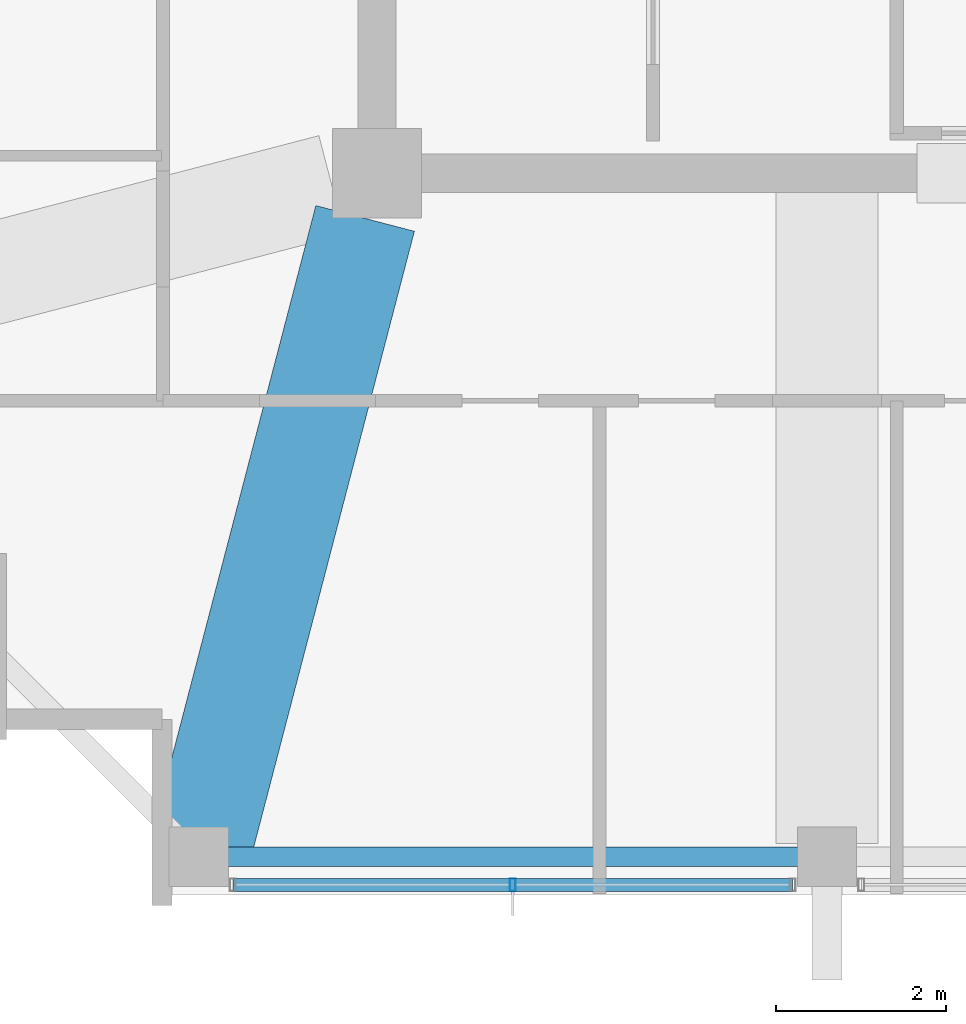
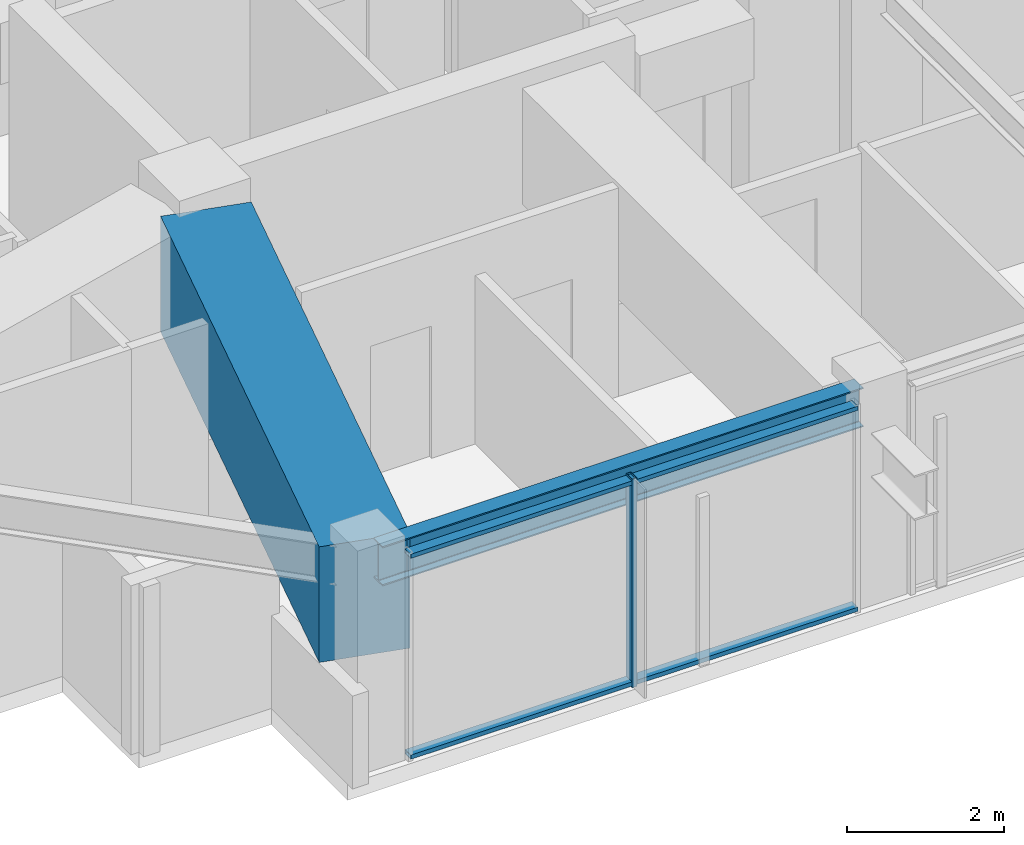
# One storey, part 3 of 31: 3 members, 2 beams, 1 element without a shape of its own.
"""IFC4 building model written with IfcOpenShell, lengths in metres."""

from ifc_helpers import new_model, si_unit, direction, frame, origin, origin_2d, place, context, subcontext, project, spatial, rectangle, hollow_rectangle, i_section, extrude, material, material_profile, profile_set, type_object, element, aggregate, save


model = new_model("IFC4")

# Units and contexts
model_context = context("Model", 3, precision=1e-05, world=origin(), true_north=direction((0.0, 1.0)))
body_context = subcontext(model_context, "Body", "Model", "MODEL_VIEW")
ifc_project = project(units=[si_unit("LENGTHUNIT", "METRE"), si_unit("AREAUNIT", "SQUARE_METRE"), si_unit("VOLUMEUNIT", "CUBIC_METRE"), si_unit("PLANEANGLEUNIT", "RADIAN"), si_unit("MASSUNIT", "GRAM", prefix="KILO")], contexts=[model_context])

# Site, building, storey
site_placement = place(None, origin())
site = spatial("IfcSite", under=ifc_project, at=site_placement, CompositionType="ELEMENT")
building_placement = place(site_placement, origin())
building = spatial("IfcBuilding", under=site, at=building_placement, Name="Kolvaren Belvedere", CompositionType="ELEMENT")
storey_placement = place(building_placement, frame((0.0, 0.0, 237.39990234375)))
storey = spatial("IfcBuildingStorey", under=building, at=storey_placement, Name="L69", CompositionType="ELEMENT", Elevation=237.39990234375)

# Beams
ifc_material_1 = material(Name="Structural steel ASTM A992 Grade 50", Category="steel")
ifc_material_profile_1 = material_profile(ifc_material_1, i_section(OverallWidth=0.22900390625, OverallDepth=0.612060546875, WebThickness=0.011962890625, FlangeThickness=0.01953125, FilletRadius=0.01806640625, at=origin_2d()), Name="W24X84")
ifc_profile_set_1 = profile_set([ifc_material_profile_1], Name="Structural steel ASTM A992 Grade 50")
beam_type_1 = type_object("IfcBeamType", Name="BM-SPAN-W24X84", PredefinedType="SPANDREL", material=ifc_profile_set_1)
beam_1_placement = place(storey_placement, frame((-11.842529296875, -17.949951171875, 2.944091796875), z_axis=(1.0, 0.0, 0.0), x_axis=(0.0, 1.0, 0.0)))
element("IfcBeam", 1, at=beam_1_placement, inside=storey, type_object=beam_type_1, Name="L69 Perimeter Spandrel S1-S2", PredefinedType="SPANDREL", context=body_context, shape_type="SweptSolid", body=[
    extrude(i_section(OverallWidth=0.22900390625, OverallDepth=0.612060546875, WebThickness=0.011962890625, FlangeThickness=0.01953125, FilletRadius=0.01806640625, at=origin_2d()), origin(), (0.0, 0.0, 1.0), 7.0849609375),
])
ifc_material_2 = material(Name="Concrete C50/60", Category="concrete")
ifc_material_profile_2 = material_profile(ifc_material_2, rectangle(XDim=1.199951171875, YDim=1.800048828125, at=origin_2d()), Name="RC 1200X1800")
ifc_profile_set_2 = profile_set([ifc_material_profile_2], Name="Concrete C50/60")
beam_type_2 = type_object("IfcBeamType", Name="BM-TG-1800", PredefinedType="BEAM", material=ifc_profile_set_2)
beam_2_placement = place(storey_placement, frame((-10.038818359375, -10.43212890625, 2.35009765625), z_axis=(-0.25241668651, -0.967618631679, 0.0), x_axis=(0.967618631679, -0.25241668651, 0.0)))
element("IfcBeam", 2, at=beam_2_placement, inside=storey, type_object=beam_type_2, Name="L69 Corner Core-to-Perimeter Girder CC1-S1", PredefinedType="BEAM", context=body_context, shape_type="SweptSolid", body=[
    extrude(rectangle(XDim=1.199951171875, YDim=1.800048828125, at=origin_2d()), origin(), (0.0, 0.0, 1.0), 7.62939453125),
])

# Curtain wall, members
ifc_material_3 = material(Name="Anodised pale-metal aluminium AA 6063-T6", Category="aluminium")
curtain_wall_type = type_object("IfcCurtainWallType", Name="CW-Z5-HIGH", PredefinedType="NOTDEFINED", material=ifc_material_3)
curtain_wall_placement = place(storey_placement, origin())
curtain_wall = element("IfcCurtainWall", 3, at=curtain_wall_placement, inside=storey, type_object=curtain_wall_type, Name="L69 Unitised Curtain Wall FCW-L69-S-B3", PredefinedType="NOTDEFINED")
ifc_material_4 = material(Name="Anodised pale-metal aluminium AA 6063-T6", Category="aluminium")
ifc_material_profile_3 = material_profile(ifc_material_4, hollow_rectangle(XDim=0.070068359375, YDim=0.14990234375, WallThickness=0.004150390625, at=origin_2d()), Name="ALU-MUL-150X70")
ifc_profile_set_3 = profile_set([ifc_material_profile_3], Name="Anodised pale-metal aluminium AA 6063-T6")
member_type_1 = type_object("IfcMemberType", Name="CW-MUL-150", PredefinedType="MULLION", material=ifc_profile_set_3)
member_1_placement = place(storey_placement, frame((-8.300048828125, -18.280029296875, 0.0), z_axis=(0.0, 0.0, 1.0), x_axis=(1.0, 0.0, 0.0)))
member_1 = element("IfcMember", 4, at=member_1_placement, type_object=member_type_1, Name="FCW-L69-S-B3 Unitised Mullion 2", PredefinedType="MULLION", context=body_context, shape_type="SweptSolid", body=[
    extrude(hollow_rectangle(XDim=0.070068359375, YDim=0.14990234375, WallThickness=0.004150390625, at=origin_2d()), origin(), (0.0, 0.0, 1.0), 3.25),
])
ifc_material_5 = material(Name="Anodised pale-metal aluminium AA 6063-T6", Category="aluminium")
ifc_material_profile_4 = material_profile(ifc_material_5, hollow_rectangle(XDim=0.06494140625, YDim=0.14990234375, WallThickness=0.00390625, at=origin_2d()), Name="ALU-TRN-150X65")
ifc_profile_set_4 = profile_set([ifc_material_profile_4], Name="Anodised pale-metal aluminium AA 6063-T6")
member_type_2 = type_object("IfcMemberType", Name="CW-TRN-150", PredefinedType="USERDEFINED", material=ifc_profile_set_4)
member_2_placement = place(storey_placement, frame((-5.0048828125, -18.280029296875, 0.06005859375), z_axis=(-1.0, 0.0, 0.0), x_axis=(0.0, 0.0, 1.0)))
member_2 = element("IfcMember", 5, at=member_2_placement, type_object=member_type_2, Name="FCW-L69-S-B3 Sill Transom", ObjectType="TRANSOM", PredefinedType="USERDEFINED", context=body_context, shape_type="SweptSolid", body=[
    extrude(hollow_rectangle(XDim=0.06494140625, YDim=0.14990234375, WallThickness=0.00390625, at=origin_2d()), origin(), (0.0, 0.0, 1.0), 6.590087890625),
])
member_3_placement = place(storey_placement, frame((-5.0048828125, -18.280029296875, 3.190185546875), z_axis=(-1.0, 0.0, 0.0), x_axis=(0.0, 0.0, 1.0)))
member_3 = element("IfcMember", 6, at=member_3_placement, type_object=member_type_2, Name="FCW-L69-S-B3 Head Transom", ObjectType="TRANSOM", PredefinedType="USERDEFINED", context=body_context, shape_type="SweptSolid", body=[
    extrude(hollow_rectangle(XDim=0.06494140625, YDim=0.14990234375, WallThickness=0.00390625, at=origin_2d()), origin(), (0.0, 0.0, 1.0), 6.590087890625),
])
aggregate(curtain_wall, [member_1, member_2, member_3])

save(model, "model.ifc")
